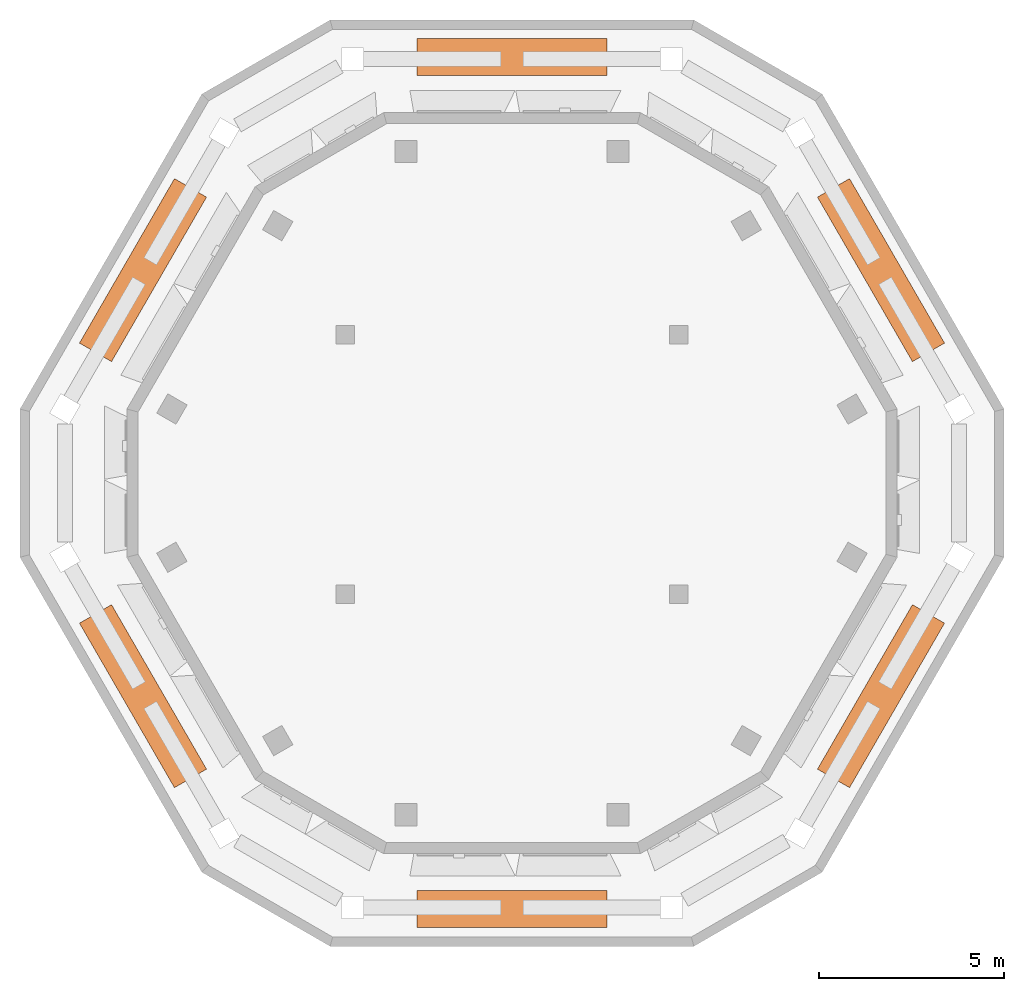
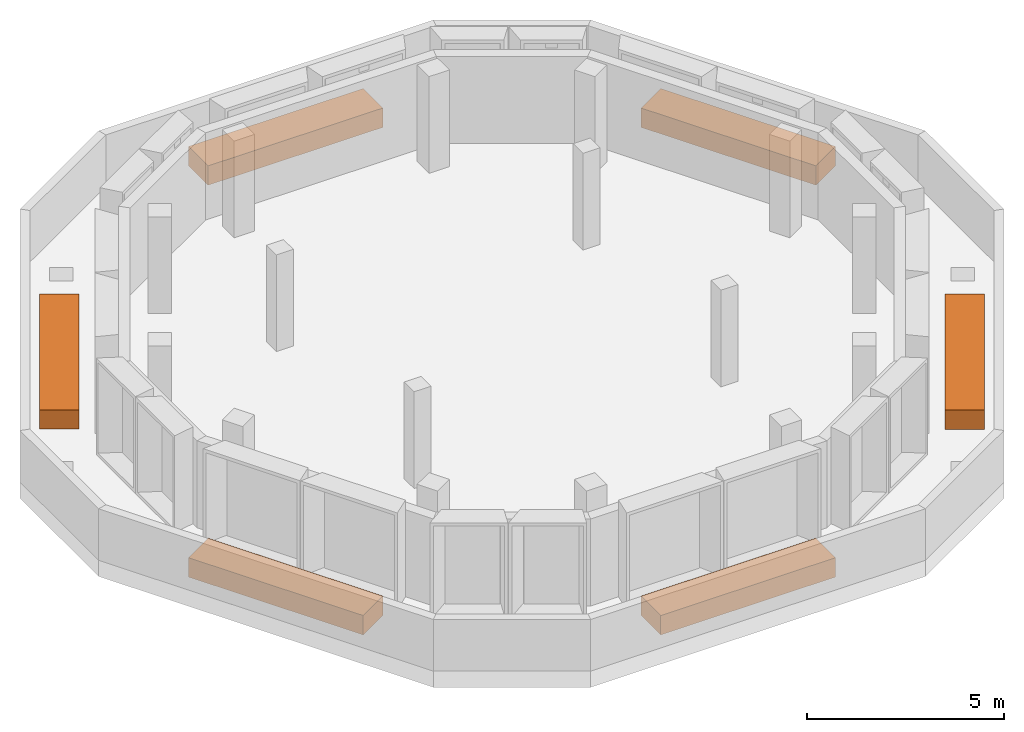
# One storey, part 4 of 4: 6 proxies.
"""IFC4 building model written with IfcOpenShell, lengths in metres."""

from ifc_helpers import new_model, si_unit, direction, frame, origin, place, context, subcontext, project, spatial, polyline, outline, extrude, material, type_object, element, save


model = new_model("IFC4")

# Units and contexts
model_context = context("Model", 3, precision=1e-05, world=origin(), true_north=direction((0.0, 1.0)))
body_context = subcontext(model_context, "Body", "Model", "MODEL_VIEW")
ifc_project = project(units=[si_unit("LENGTHUNIT", "METRE"), si_unit("AREAUNIT", "SQUARE_METRE"), si_unit("VOLUMEUNIT", "CUBIC_METRE"), si_unit("PLANEANGLEUNIT", "RADIAN"), si_unit("MASSUNIT", "GRAM", prefix="KILO")], contexts=[model_context])

# Site, building, storey
site_placement = place(None, origin())
site = spatial("IfcSite", under=ifc_project, at=site_placement, CompositionType="ELEMENT")
building_placement = place(site_placement, origin())
building = spatial("IfcBuilding", under=site, at=building_placement, Name="Beryl Residences", CompositionType="ELEMENT")
storey_placement = place(building_placement, frame((0.0, 0.0, 256.800048828125)))
storey = spatial("IfcBuildingStorey", under=building, at=storey_placement, Name="L80", CompositionType="ELEMENT", Elevation=256.800048828125)

# Proxies
ifc_material = material(Name="Planting soil in precast concrete C40/50 trough", Category="concrete")
building_element_proxy_type = type_object("IfcBuildingElementProxyType", Name="PL1 planter bed 600 mm", PredefinedType="USERDEFINED", material=ifc_material)
proxy_1_placement = place(storey_placement, origin())
element("IfcBuildingElementProxy", 1, at=proxy_1_placement, inside=storey, type_object=building_element_proxy_type, Name="PL1 planter bed L80 N roof", ObjectType="PLANTER", PredefinedType="USERDEFINED", context=body_context, shape_type="SweptSolid", body=[
    extrude(outline(polyline([(2.56494140625, 12.0), (-2.56494140625, 12.0), (-2.56494140625, 11.0), (2.56494140625, 11.0), (2.56494140625, 12.0)])), origin(), (0.0, 0.0, 1.0), 0.599853515625),
])
proxy_2_placement = place(storey_placement, origin())
element("IfcBuildingElementProxy", 2, at=proxy_2_placement, inside=storey, type_object=building_element_proxy_type, Name="PL1 planter bed L80 NW roof", ObjectType="PLANTER", PredefinedType="USERDEFINED", context=body_context, shape_type="SweptSolid", body=[
    extrude(outline(polyline([(-9.110107421875, 8.219970703125), (-11.674072265625, 3.780029296875), (-10.80810546875, 3.280029296875), (-8.243896484375, 7.719970703125), (-9.110107421875, 8.219970703125)])), origin(), (0.0, 0.0, 1.0), 0.599853515625),
])
proxy_3_placement = place(storey_placement, origin())
element("IfcBuildingElementProxy", 3, at=proxy_3_placement, inside=storey, type_object=building_element_proxy_type, Name="PL1 planter bed L80 SW roof", ObjectType="PLANTER", PredefinedType="USERDEFINED", context=body_context, shape_type="SweptSolid", body=[
    extrude(outline(polyline([(-11.674072265625, -3.780029296875), (-9.110107421875, -8.219970703125), (-8.243896484375, -7.719970703125), (-10.80810546875, -3.280029296875), (-11.674072265625, -3.780029296875)])), origin(), (0.0, 0.0, 1.0), 0.599853515625),
])
proxy_4_placement = place(storey_placement, origin())
element("IfcBuildingElementProxy", 4, at=proxy_4_placement, inside=storey, type_object=building_element_proxy_type, Name="PL1 planter bed L80 S roof", ObjectType="PLANTER", PredefinedType="USERDEFINED", context=body_context, shape_type="SweptSolid", body=[
    extrude(outline(polyline([(-2.56494140625, -12.0), (2.56494140625, -12.0), (2.56494140625, -11.0), (-2.56494140625, -11.0), (-2.56494140625, -12.0)])), origin(), (0.0, 0.0, 1.0), 0.599853515625),
])
proxy_5_placement = place(storey_placement, origin())
element("IfcBuildingElementProxy", 5, at=proxy_5_placement, inside=storey, type_object=building_element_proxy_type, Name="PL1 planter bed L80 SE roof", ObjectType="PLANTER", PredefinedType="USERDEFINED", context=body_context, shape_type="SweptSolid", body=[
    extrude(outline(polyline([(9.110107421875, -8.219970703125), (11.674072265625, -3.780029296875), (10.80810546875, -3.280029296875), (8.243896484375, -7.719970703125), (9.110107421875, -8.219970703125)])), origin(), (0.0, 0.0, 1.0), 0.599853515625),
])
proxy_6_placement = place(storey_placement, origin())
element("IfcBuildingElementProxy", 6, at=proxy_6_placement, inside=storey, type_object=building_element_proxy_type, Name="PL1 planter bed L80 NE roof", ObjectType="PLANTER", PredefinedType="USERDEFINED", context=body_context, shape_type="SweptSolid", body=[
    extrude(outline(polyline([(11.674072265625, 3.780029296875), (9.110107421875, 8.219970703125), (8.243896484375, 7.719970703125), (10.80810546875, 3.280029296875), (11.674072265625, 3.780029296875)])), origin(), (0.0, 0.0, 1.0), 0.599853515625),
])

save(model, "model.ifc")
